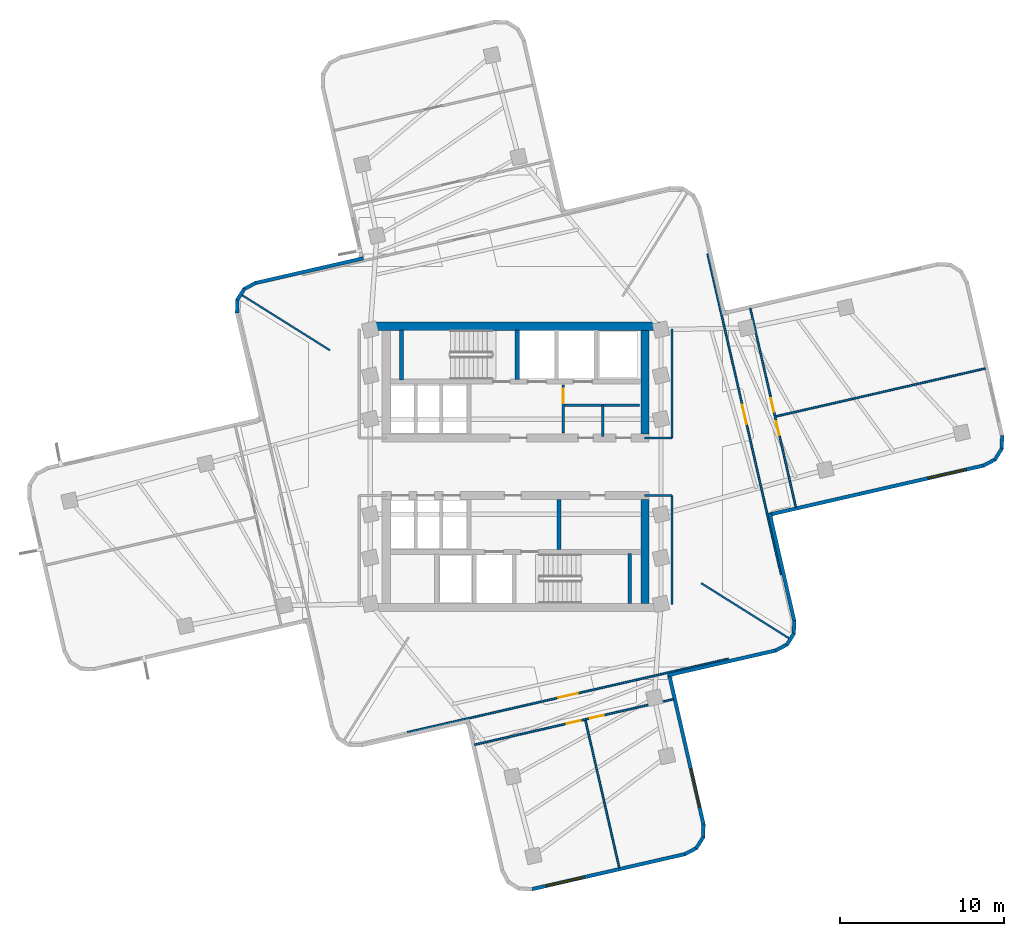
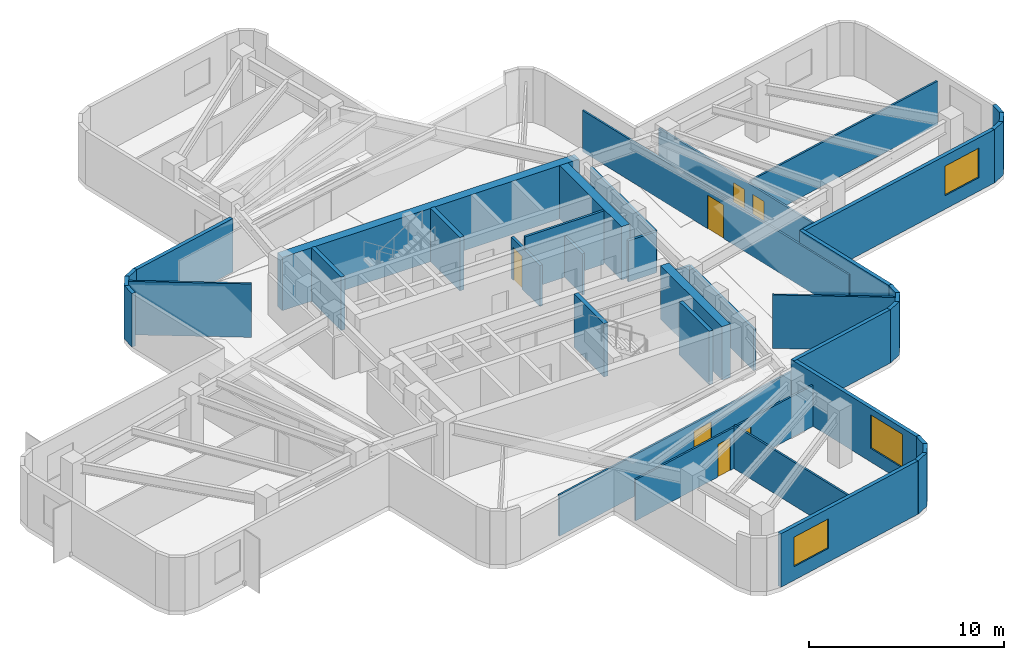
# One storey, part 4 of 7: 40 walls, 7 doors, 3 windows, 10 openings.
"""IFC4 building model written with IfcOpenShell, lengths in metres."""

from ifc_helpers import new_model, si_unit, direction, frame, frame_2d, origin, place, context, subcontext, project, spatial, rectangle, extrude, material, layer, layer_set, type_object, element, fill, save


model = new_model("IFC4")

# Units and contexts
model_context = context("Model", 3, precision=1e-05, world=origin(), true_north=direction((0.0, 1.0)))
body_context = subcontext(model_context, "Body", "Model", "MODEL_VIEW")
ifc_project = project(units=[si_unit("LENGTHUNIT", "METRE"), si_unit("AREAUNIT", "SQUARE_METRE"), si_unit("VOLUMEUNIT", "CUBIC_METRE"), si_unit("PLANEANGLEUNIT", "RADIAN"), si_unit("MASSUNIT", "GRAM", prefix="KILO")], contexts=[model_context])

# Site, building, storey
site_placement = place(None, origin())
site = spatial("IfcSite", under=ifc_project, at=site_placement, CompositionType="ELEMENT")
building_placement = place(site_placement, origin())
building = spatial("IfcBuilding", under=site, at=building_placement, Name="Solmarez Civic Tower", CompositionType="ELEMENT")
storey_placement = place(building_placement, frame((0.0, 0.0, 116.280029296875)))
storey = spatial("IfcBuildingStorey", under=building, at=storey_placement, Name="L30", CompositionType="ELEMENT", Elevation=116.280029296875)

# Walls
ifc_material_1 = material(Name="Concrete C60/75", Category="concrete")
ifc_layer_1 = layer(ifc_material_1, 0.5)
ifc_layer_set_1 = layer_set([ifc_layer_1], Name="Concrete C60/75")
wall_type_1 = type_object("IfcWallType", Name="WALL-CORE-500", PredefinedType="SHEAR", material=ifc_layer_set_1)
wall_1_placement = place(storey_placement, frame((-8.780029296875, 8.56005859375, 0.0), z_axis=(0.0, 0.0, 1.0), x_axis=(1.0, 0.0, 0.0)))
element("IfcWall", 1, at=wall_1_placement, inside=storey, type_object=wall_type_1, Name="L30 Split-Core Structural Wall NCW-N-L30", PredefinedType="SHEAR", context=body_context, shape_type="SweptSolid", body=[
    extrude(rectangle(XDim=17.56005859375, YDim=0.5, at=frame_2d((8.780029296875, 0.0))), origin(), (0.0, 0.0, 1.0), 3.340087890625),
])
for number, where, z_axis, x_axis, name in (
    (2, (7.8701171875, 8.31005859375, 0.0), (0.0, 0.0, 1.0), (0.0, -1.0, 0.0), "L30 Split-Core Structural Wall NCW-E-L30"),
    (3, (7.8701171875, -2.0, 0.0), (0.0, 0.0, 1.0), (0.0, -1.0, 0.0), "L30 Split-Core Structural Wall SCW-E-L30"),
):
    element("IfcWall", number, at=place(storey_placement, frame(where, z_axis=z_axis, x_axis=x_axis)), inside=storey, type_object=wall_type_1, Name=name, PredefinedType="SHEAR", context=body_context, shape_type="SweptSolid", body=[
        extrude(rectangle(XDim=6.31005859375, YDim=0.5, at=frame_2d((3.155029296875, 0.0))), origin(), (0.0, 0.0, 1.0), 3.340087890625),
    ])
ifc_material_2 = material(Name="Precast concrete C40/50", Category="concrete")
ifc_layer_2 = layer(ifc_material_2, 0.219970703125)
ifc_layer_set_2 = layer_set([ifc_layer_2], Name="Precast concrete C40/50")
wall_type_2 = type_object("IfcWallType", Name="WALL-EXT-220", PredefinedType="SOLIDWALL", material=ifc_layer_set_2)
wall_2_placement = place(storey_placement, frame((-16.964111328125, 9.360107421875, 0.0), z_axis=(0.0, 0.0, 1.0), x_axis=(0.035983706773, 0.999352376715, 0.0)))
element("IfcWall", 4, at=wall_2_placement, inside=storey, type_object=wall_type_2, Name="L30 Exterior Precast Wall 14", PredefinedType="SOLIDWALL", context=body_context, shape_type="SweptSolid", body=[
    extrude(rectangle(XDim=0.83447265625, YDim=0.219970703125, at=frame_2d((0.417236328125, 0.0))), origin(), (0.0, 0.0, 1.0), 3.340087890625),
])
wall_3_placement = place(storey_placement, frame((-16.947998046875, 10.14794921875, 0.0), z_axis=(0.0, 0.0, 1.0), x_axis=(0.531096868492, 0.847311109497, 0.0)))
element("IfcWall", 5, at=wall_3_placement, inside=storey, type_object=wall_type_2, Name="L30 Exterior Precast Wall 15", PredefinedType="SOLIDWALL", context=body_context, shape_type="SweptSolid", body=[
    extrude(rectangle(XDim=0.819091796875, YDim=0.219970703125, at=frame_2d((0.40966796875, 0.0))), origin(), (0.0, 0.0, 1.0), 3.340087890625),
])
wall_4_placement = place(storey_placement, frame((-16.548095703125, 10.80908203125, 0.0), z_axis=(0.0, 0.0, 1.0), x_axis=(0.883460266876, 0.468506090516, 0.0)))
element("IfcWall", 6, at=wall_4_placement, inside=storey, type_object=wall_type_2, Name="L30 Exterior Precast Wall 16", PredefinedType="SOLIDWALL", context=body_context, shape_type="SweptSolid", body=[
    extrude(rectangle(XDim=0.834228515625, YDim=0.219970703125, at=frame_2d((0.4169921875, 0.0))), origin(), (0.0, 0.0, 1.0), 3.340087890625),
])
wall_5_placement = place(storey_placement, frame((-15.85693359375, 11.181884765625, 0.0), z_axis=(0.0, 0.0, 1.0), x_axis=(0.974754598481, 0.223278912438, 0.0)))
element("IfcWall", 7, at=wall_5_placement, inside=storey, type_object=wall_type_2, Name="L30 Exterior Precast Wall 17", PredefinedType="SOLIDWALL", context=body_context, shape_type="SweptSolid", body=[
    extrude(rectangle(XDim=6.758544921875, YDim=0.219970703125, at=frame_2d((3.37939453125, 0.0))), origin(), (0.0, 0.0, 1.0), 3.340087890625),
])
wall_6_placement = place(storey_placement, frame((29.6201171875, 1.89892578125, 0.0), z_axis=(0.0, 0.0, 1.0), x_axis=(-0.037195813461, -0.999307996296, 0.0)))
element("IfcWall", 8, at=wall_6_placement, inside=storey, type_object=wall_type_2, Name="L30 Exterior Precast Wall 43", PredefinedType="SOLIDWALL", context=body_context, shape_type="SweptSolid", body=[
    extrude(rectangle(XDim=0.83349609375, YDim=0.219970703125, at=frame_2d((0.416748046875, 0.0))), origin(), (0.0, 0.0, 1.0), 3.340087890625),
])
wall_7_placement = place(storey_placement, frame((29.60302734375, 1.112060546875, 0.0), z_axis=(0.0, 0.0, 1.0), x_axis=(-0.530240177466, -0.847847482865, 0.0)))
element("IfcWall", 9, at=wall_7_placement, inside=storey, type_object=wall_type_2, Name="L30 Exterior Precast Wall 44", PredefinedType="SOLIDWALL", context=body_context, shape_type="SweptSolid", body=[
    extrude(rectangle(XDim=0.818603515625, YDim=0.219970703125, at=frame_2d((0.4091796875, 0.0))), origin(), (0.0, 0.0, 1.0), 3.340087890625),
])
wall_8_placement = place(storey_placement, frame((29.2041015625, 0.450927734375, 0.0), z_axis=(0.0, 0.0, 1.0), x_axis=(-0.883716798585, -0.468022029287, 0.0)))
element("IfcWall", 10, at=wall_8_placement, inside=storey, type_object=wall_type_2, Name="L30 Exterior Precast Wall 45", PredefinedType="SOLIDWALL", context=body_context, shape_type="SweptSolid", body=[
    extrude(rectangle(XDim=0.835205078125, YDim=0.219970703125, at=frame_2d((0.41748046875, 0.0))), origin(), (0.0, 0.0, 1.0), 3.340087890625),
])

# Wall, opening, window
wall_9_placement = place(storey_placement, frame((28.511962890625, 0.077880859375, 0.0), z_axis=(0.0, 0.0, 1.0), x_axis=(-0.974753462872, -0.223283870038, 0.0)))
wall_9 = element("IfcWall", 11, at=wall_9_placement, inside=storey, type_object=wall_type_2, Name="L30 Exterior Precast Wall 46", PredefinedType="SOLIDWALL", context=body_context, shape_type="SweptSolid", body=[
    extrude(rectangle(XDim=13.457763671875, YDim=0.219970703125, at=frame_2d((6.72900390625, 0.0))), origin(), (0.0, 0.0, 1.0), 3.340087890625),
])
opening_1_placement = place(wall_9_placement, frame((1.10009765625, 0.0, 0.85009765625)))
opening_1 = element("IfcOpeningElement", 12, at=opening_1_placement, cuts=wall_9, Name="Opening W-06", PredefinedType="OPENING", context=body_context, shape_type="SweptSolid", body=[
    extrude(rectangle(XDim=2.39990234375, YDim=1.85009765625, at=frame_2d((1.199951171875, 0.925048828125))), frame((0.0, 0.119873046875, 0.0), z_axis=(0.0, -1.0, 0.0), x_axis=(1.0, 0.0, 0.0)), (0.0, 0.0, 1.0), 0.239990234375),
])
ifc_material_3 = material(Name="Solar Control Bronze-Tinted Insulating Glass", Category="glass")
window_type_1 = type_object("IfcWindowType", Name="WIN-2400X1850", PartitioningType="SINGLE_PANEL", PredefinedType="WINDOW", material=ifc_material_3)
window_1_placement = place(opening_1_placement, origin())
window_1 = element("IfcWindow", 13, at=window_1_placement, inside=storey, type_object=window_type_1, Name="L30 Exterior Facade Window 46", OverallHeight=1.85009765625, OverallWidth=2.39990234375, PartitioningType="SINGLE_PANEL", PredefinedType="WINDOW", context=body_context, shape_type="SweptSolid", body=[
    extrude(rectangle(XDim=2.39990234375, YDim=1.85009765625, at=frame_2d((1.199951171875, 0.925048828125))), frame((0.0, 0.030029296875, 0.0), z_axis=(0.0, -1.0, 0.0), x_axis=(1.0, 0.0, 0.0)), (0.0, 0.0, 1.0), 0.06005859375),
])
fill(opening_1, window_1)

# Walls
wall_10_placement = place(storey_placement, frame((15.4599609375, -2.821044921875, 0.0), z_axis=(0.0, 0.0, 1.0), x_axis=(0.223278912438, -0.974754598481, 0.0)))
element("IfcWall", 14, at=wall_10_placement, inside=storey, type_object=wall_type_2, Name="L30 Exterior Precast Wall 49", PredefinedType="SOLIDWALL", context=body_context, shape_type="SweptSolid", body=[
    extrude(rectangle(XDim=6.758544921875, YDim=0.219970703125, at=frame_2d((3.37939453125, 0.0))), origin(), (0.0, 0.0, 1.0), 3.340087890625),
])
wall_11_placement = place(storey_placement, frame((16.964111328125, -9.360107421875, 0.0), z_axis=(0.0, 0.0, 1.0), x_axis=(-0.035983706773, -0.999352376715, 0.0)))
element("IfcWall", 15, at=wall_11_placement, inside=storey, type_object=wall_type_2, Name="L30 Exterior Precast Wall 50", PredefinedType="SOLIDWALL", context=body_context, shape_type="SweptSolid", body=[
    extrude(rectangle(XDim=0.83447265625, YDim=0.219970703125, at=frame_2d((0.417236328125, 0.0))), origin(), (0.0, 0.0, 1.0), 3.340087890625),
])
wall_12_placement = place(storey_placement, frame((16.947998046875, -10.14794921875, 0.0), z_axis=(0.0, 0.0, 1.0), x_axis=(-0.531096868492, -0.847311109497, 0.0)))
element("IfcWall", 16, at=wall_12_placement, inside=storey, type_object=wall_type_2, Name="L30 Exterior Precast Wall 51", PredefinedType="SOLIDWALL", context=body_context, shape_type="SweptSolid", body=[
    extrude(rectangle(XDim=0.819091796875, YDim=0.219970703125, at=frame_2d((0.40966796875, 0.0))), origin(), (0.0, 0.0, 1.0), 3.340087890625),
])
wall_13_placement = place(storey_placement, frame((16.548095703125, -10.80908203125, 0.0), z_axis=(0.0, 0.0, 1.0), x_axis=(-0.883460266876, -0.468506090516, 0.0)))
element("IfcWall", 17, at=wall_13_placement, inside=storey, type_object=wall_type_2, Name="L30 Exterior Precast Wall 52", PredefinedType="SOLIDWALL", context=body_context, shape_type="SweptSolid", body=[
    extrude(rectangle(XDim=0.834228515625, YDim=0.219970703125, at=frame_2d((0.4169921875, 0.0))), origin(), (0.0, 0.0, 1.0), 3.340087890625),
])
wall_14_placement = place(storey_placement, frame((15.85693359375, -11.181884765625, 0.0), z_axis=(0.0, 0.0, 1.0), x_axis=(-0.974754598481, -0.223278912438, 0.0)))
element("IfcWall", 18, at=wall_14_placement, inside=storey, type_object=wall_type_2, Name="L30 Exterior Precast Wall 53", PredefinedType="SOLIDWALL", context=body_context, shape_type="SweptSolid", body=[
    extrude(rectangle(XDim=6.758544921875, YDim=0.219970703125, at=frame_2d((3.37939453125, 0.0))), origin(), (0.0, 0.0, 1.0), 3.340087890625),
])

# Wall, opening, window
wall_15_placement = place(storey_placement, frame((9.3349609375, -12.5849609375, 0.0), z_axis=(0.0, 0.0, 1.0), x_axis=(0.223290835532, -0.974751867281, 0.0)))
wall_15 = element("IfcWall", 19, at=wall_15_placement, inside=storey, type_object=wall_type_2, Name="L30 Exterior Precast Wall 56", PredefinedType="SOLIDWALL", context=body_context, shape_type="SweptSolid", body=[
    extrude(rectangle(XDim=9.458740234375, YDim=0.219970703125, at=frame_2d((4.7294921875, 0.0))), origin(), (0.0, 0.0, 1.0), 3.340087890625),
])
opening_2_placement = place(wall_15_placement, frame((5.958984375, 0.0, 0.85009765625)))
opening_2 = element("IfcOpeningElement", 20, at=opening_2_placement, cuts=wall_15, Name="Opening W-02", PredefinedType="OPENING", context=body_context, shape_type="SweptSolid", body=[
    extrude(rectangle(XDim=2.39990234375, YDim=2.10009765625, at=frame_2d((1.199951171875, 1.050048828125))), frame((0.0, 0.119873046875, 0.0), z_axis=(0.0, -1.0, 0.0), x_axis=(1.0, 0.0, 0.0)), (0.0, 0.0, 1.0), 0.239990234375),
])
window_type_2 = type_object("IfcWindowType", Name="WIN-2400X2100", PartitioningType="SINGLE_PANEL", PredefinedType="WINDOW", material=ifc_material_3)
window_2_placement = place(opening_2_placement, origin())
window_2 = element("IfcWindow", 21, at=window_2_placement, inside=storey, type_object=window_type_2, Name="L30 Exterior Facade Window 56", OverallHeight=2.10009765625, OverallWidth=2.39990234375, PartitioningType="SINGLE_PANEL", PredefinedType="WINDOW", context=body_context, shape_type="SweptSolid", body=[
    extrude(rectangle(XDim=2.39990234375, YDim=2.10009765625, at=frame_2d((1.199951171875, 1.050048828125))), frame((0.0, 0.030029296875, 0.0), z_axis=(0.0, -1.0, 0.0), x_axis=(1.0, 0.0, 0.0)), (0.0, 0.0, 1.0), 0.06005859375),
])
fill(opening_2, window_2)

# Walls
wall_16_placement = place(storey_placement, frame((11.44189453125, -21.756103515625, 0.0), z_axis=(0.0, 0.0, 1.0), x_axis=(-0.035691530512, -0.999362854348, 0.0)))
element("IfcWall", 22, at=wall_16_placement, inside=storey, type_object=wall_type_2, Name="L30 Exterior Precast Wall 57", PredefinedType="SOLIDWALL", context=body_context, shape_type="SweptSolid", body=[
    extrude(rectangle(XDim=0.83447265625, YDim=0.219970703125, at=frame_2d((0.417236328125, 0.0))), origin(), (0.0, 0.0, 1.0), 3.340087890625),
])
wall_17_placement = place(storey_placement, frame((11.426025390625, -22.5439453125, 0.0), z_axis=(0.0, 0.0, 1.0), x_axis=(-0.53163377074, -0.846974340702, 0.0)))
element("IfcWall", 23, at=wall_17_placement, inside=storey, type_object=wall_type_2, Name="L30 Exterior Precast Wall 58", PredefinedType="SOLIDWALL", context=body_context, shape_type="SweptSolid", body=[
    extrude(rectangle(XDim=0.818359375, YDim=0.219970703125, at=frame_2d((0.4091796875, 0.0))), origin(), (0.0, 0.0, 1.0), 3.340087890625),
])
wall_18_placement = place(storey_placement, frame((11.02587890625, -23.2041015625, 0.0), z_axis=(0.0, 0.0, 1.0), x_axis=(-0.883396009524, -0.468627240307, 0.0)))
element("IfcWall", 24, at=wall_18_placement, inside=storey, type_object=wall_type_2, Name="L30 Exterior Precast Wall 59", PredefinedType="SOLIDWALL", context=body_context, shape_type="SweptSolid", body=[
    extrude(rectangle(XDim=0.833984375, YDim=0.219970703125, at=frame_2d((0.4169921875, 0.0))), origin(), (0.0, 0.0, 1.0), 3.340087890625),
])

# Wall, opening, window
wall_19_placement = place(storey_placement, frame((10.3349609375, -23.576904296875, 0.0), z_axis=(0.0, 0.0, 1.0), x_axis=(-0.974730937235, -0.223382183705, 0.0)))
wall_19 = element("IfcWall", 25, at=wall_19_placement, inside=storey, type_object=wall_type_2, Name="L30 Exterior Precast Wall 60", PredefinedType="SOLIDWALL", context=body_context, shape_type="SweptSolid", body=[
    extrude(rectangle(XDim=9.62109375, YDim=0.219970703125, at=frame_2d((4.810546875, 0.0))), origin(), (0.0, 0.0, 1.0), 3.340087890625),
])
opening_3_placement = place(wall_19_placement, frame((6.303955078125, 0.0, 0.85009765625)))
opening_3 = element("IfcOpeningElement", 26, at=opening_3_placement, cuts=wall_19, Name="Opening W-06", PredefinedType="OPENING", context=body_context, shape_type="SweptSolid", body=[
    extrude(rectangle(XDim=2.39990234375, YDim=1.85009765625, at=frame_2d((1.199951171875, 0.925048828125))), frame((0.0, 0.119873046875, 0.0), z_axis=(0.0, -1.0, 0.0), x_axis=(1.0, 0.0, 0.0)), (0.0, 0.0, 1.0), 0.239990234375),
])
window_3_placement = place(opening_3_placement, origin())
window_3 = element("IfcWindow", 27, at=window_3_placement, inside=storey, type_object=window_type_1, Name="L30 Exterior Facade Window 60", OverallHeight=1.85009765625, OverallWidth=2.39990234375, PartitioningType="SINGLE_PANEL", PredefinedType="WINDOW", context=body_context, shape_type="SweptSolid", body=[
    extrude(rectangle(XDim=2.39990234375, YDim=1.85009765625, at=frame_2d((1.199951171875, 0.925048828125))), frame((0.0, 0.030029296875, 0.0), z_axis=(0.0, -1.0, 0.0), x_axis=(1.0, 0.0, 0.0)), (0.0, 0.0, 1.0), 0.06005859375),
])
fill(opening_3, window_3)

# Walls
ifc_material_4 = material(Name="Gypsum Board Acoustic Steel-Stud Partition", Category="steel")
ifc_layer_3 = layer(ifc_material_4, 0.14990234375)
ifc_layer_set_3 = layer_set([ifc_layer_3], Name="Gypsum Board Acoustic Steel-Stud Partition")
wall_type_3 = type_object("IfcWallType", Name="WALL-INT-FIRE-150", PredefinedType="PARTITIONING", material=ifc_layer_set_3)
wall_20_placement = place(storey_placement, frame((9.52001953125, 1.75, 0.0), z_axis=(0.0, 0.0, 1.0), x_axis=(0.0, 1.0, 0.0)))
element("IfcWall", 28, at=wall_20_placement, inside=storey, type_object=wall_type_3, Name="L30 Interior Partition CHW-L30-EN1", PredefinedType="PARTITIONING", context=body_context, shape_type="SweptSolid", body=[
    extrude(rectangle(XDim=6.6298828125, YDim=0.14990234375, at=frame_2d((3.31494140625, 0.0))), origin(), (0.0, 0.0, 1.0), 2.570068359375),
])
wall_21_placement = place(storey_placement, frame((7.85009765625, 1.75, 0.0), z_axis=(0.0, 0.0, 1.0), x_axis=(1.0, 0.0, 0.0)))
element("IfcWall", 29, at=wall_21_placement, inside=storey, type_object=wall_type_3, Name="L30 Interior Partition CHW-L30-EN3", PredefinedType="PARTITIONING", context=body_context, shape_type="SweptSolid", body=[
    extrude(rectangle(XDim=1.669921875, YDim=0.14990234375, at=frame_2d((0.8349609375, 0.0))), origin(), (0.0, 0.0, 1.0), 2.570068359375),
])
wall_22_placement = place(storey_placement, frame((9.52001953125, -8.3798828125, 0.0), z_axis=(0.0, 0.0, 1.0), x_axis=(0.0, 1.0, 0.0)))
element("IfcWall", 30, at=wall_22_placement, inside=storey, type_object=wall_type_3, Name="L30 Interior Partition CHW-L30-ES1", PredefinedType="PARTITIONING", context=body_context, shape_type="SweptSolid", body=[
    extrude(rectangle(XDim=6.6298828125, YDim=0.14990234375, at=frame_2d((3.31494140625, 0.0))), origin(), (0.0, 0.0, 1.0), 2.570068359375),
])
wall_23_placement = place(storey_placement, frame((7.85009765625, -1.75, 0.0), z_axis=(0.0, 0.0, 1.0), x_axis=(1.0, 0.0, 0.0)))
element("IfcWall", 31, at=wall_23_placement, inside=storey, type_object=wall_type_3, Name="L30 Interior Partition CHW-L30-ES3", PredefinedType="PARTITIONING", context=body_context, shape_type="SweptSolid", body=[
    extrude(rectangle(XDim=1.669921875, YDim=0.14990234375, at=frame_2d((0.8349609375, 0.0))), origin(), (0.0, 0.0, 1.0), 2.570068359375),
])
ifc_layer_4 = layer(ifc_material_4, 0.110107421875)
ifc_layer_set_4 = layer_set([ifc_layer_4], Name="Gypsum Board Acoustic Steel-Stud Partition")
wall_type_4 = type_object("IfcWallType", Name="WALL-INT-PART-110", PredefinedType="PARTITIONING", material=ifc_layer_set_4)
for number, where, z_axis, x_axis, name in (
    (32, (-11.300048828125, 7.089111328125, 0.0), (0.0, 0.0, 1.0), (-0.847172398776, 0.531318103167, 0.0), "L30 Interior Partition PT-L30-QDIV-2"),
    (33, (11.300048828125, -7.089111328125, 0.0), (0.0, 0.0, 1.0), (0.847172398776, -0.531318103167, 0.0), "L30 Interior Partition PT-L30-QDIV-4"),
):
    element("IfcWall", number, at=place(storey_placement, frame(where, z_axis=z_axis, x_axis=x_axis)), inside=storey, type_object=wall_type_4, Name=name, PredefinedType="PARTITIONING", context=body_context, shape_type="SweptSolid", body=[
        extrude(rectangle(XDim=6.335205078125, YDim=0.110107421875, at=frame_2d((3.16748046875, 0.0))), origin(), (0.0, 0.0, 1.0), 3.340087890625),
    ])

# Wall, opening, door
wall_24_placement = place(storey_placement, frame((11.69189453125, 12.95703125, 0.0), z_axis=(0.0, 0.0, 1.0), x_axis=(0.223262093598, -0.97475845088, 0.0)))
wall_24 = element("IfcWall", 34, at=wall_24_placement, inside=storey, type_object=wall_type_4, Name="L30 Interior Partition PT-L30-E-ENT", PredefinedType="PARTITIONING", context=body_context, shape_type="SweptSolid", body=[
    extrude(rectangle(XDim=20.039794921875, YDim=0.110107421875, at=frame_2d((10.02001953125, 0.0))), origin(), (0.0, 0.0, 1.0), 2.570068359375),
])
opening_4_placement = place(wall_24_placement, frame((9.419921875, 0.0, 0.0)))
opening_4 = element("IfcOpeningElement", 35, at=opening_4_placement, cuts=wall_24, Name="Opening D-11", PredefinedType="OPENING", context=body_context, shape_type="SweptSolid", body=[
    extrude(rectangle(XDim=1.199951171875, YDim=2.10009765625, at=frame_2d((0.60009765625, 1.050048828125))), frame((0.0, 0.06494140625, 0.0), z_axis=(0.0, -1.0, 0.0), x_axis=(1.0, 0.0, 0.0)), (0.0, 0.0, 1.0), 0.130126953125),
])
ifc_material_5 = material(Name="Glazed-Vision Acoustic Chamber Door", Category="wood")
door_type_1 = type_object("IfcDoorType", Name="DOOR-INT-1200", OperationType="NOTDEFINED", PredefinedType="DOOR", material=ifc_material_5)
door_1_placement = place(opening_4_placement, origin())
door_1 = element("IfcDoor", 36, at=door_1_placement, inside=storey, type_object=door_type_1, Name="L30 Maritime Registry Municipal Co-Working Office First East Door", OperationType="SINGLE_SWING_LEFT", OverallHeight=2.10009765625, OverallWidth=1.199951171875, PredefinedType="DOOR", context=body_context, shape_type="SweptSolid", body=[
    extrude(rectangle(XDim=1.199951171875, YDim=2.10009765625, at=frame_2d((0.60009765625, 1.050048828125))), frame((0.0, 0.02490234375, 0.0), z_axis=(0.0, -1.0, 0.0), x_axis=(1.0, 0.0, 0.0)), (0.0, 0.0, 1.0), 0.050048828125),
])
fill(opening_4, door_1)

# Wall
wall_25_placement = place(storey_placement, frame((15.85498046875, 3.06689453125, 0.0), z_axis=(0.0, 0.0, 1.0), x_axis=(0.974758398925, 0.223262320434, 0.0)))
element("IfcWall", 37, at=wall_25_placement, inside=storey, type_object=wall_type_4, Name="L30 Interior Partition PT-L30-E-TSP", PredefinedType="PARTITIONING", context=body_context, shape_type="SweptSolid", body=[
    extrude(rectangle(XDim=13.0751953125, YDim=0.110107421875, at=frame_2d((6.53759765625, 0.0))), origin(), (0.0, 0.0, 1.0), 2.719970703125),
])

# Wall, openings, doors
wall_26_placement = place(storey_placement, frame((17.06201171875, -2.468017578125, 0.0), z_axis=(0.0, 0.0, 1.0), x_axis=(-0.223341555051, 0.974740247341, 0.0)))
wall_26 = element("IfcWall", 38, at=wall_26_placement, inside=storey, type_object=wall_type_4, Name="L30 Interior Partition PT-L30-E-SCUT", PredefinedType="PARTITIONING", context=body_context, shape_type="SweptSolid", body=[
    extrude(rectangle(XDim=12.429931640625, YDim=0.110107421875, at=frame_2d((6.21484375, 0.0))), origin(), (0.0, 0.0, 1.0), 2.570068359375),
])
opening_5_placement = place(wall_26_placement, frame((4.514892578125, 0.0, 0.0)))
opening_5 = element("IfcOpeningElement", 39, at=opening_5_placement, cuts=wall_26, Name="Opening D-14", PredefinedType="OPENING", context=body_context, shape_type="SweptSolid", body=[
    extrude(rectangle(XDim=0.860107421875, YDim=2.0400390625, at=frame_2d((0.43017578125, 1.02001953125))), frame((0.0, 0.06494140625, 0.0), z_axis=(0.0, -1.0, 0.0), x_axis=(1.0, 0.0, 0.0)), (0.0, 0.0, 1.0), 0.130126953125),
])
opening_6_placement = place(wall_26_placement, frame((5.955078125, 0.0, 0.0)))
opening_6 = element("IfcOpeningElement", 40, at=opening_6_placement, cuts=wall_26, Name="Opening D-14", PredefinedType="OPENING", context=body_context, shape_type="SweptSolid", body=[
    extrude(rectangle(XDim=0.860107421875, YDim=2.0400390625, at=frame_2d((0.43017578125, 1.02001953125))), frame((0.0, 0.06494140625, 0.0), z_axis=(0.0, -1.0, 0.0), x_axis=(1.0, 0.0, 0.0)), (0.0, 0.0, 1.0), 0.130126953125),
])
ifc_material_6 = material(Name="Timber Storage and Pantry Door", Category="wood")
door_type_2 = type_object("IfcDoorType", Name="DOOR-INT-850", OperationType="NOTDEFINED", PredefinedType="DOOR", material=ifc_material_6)
door_2_placement = place(opening_5_placement, origin())
door_2 = element("IfcDoor", 41, at=door_2_placement, inside=storey, type_object=door_type_2, Name="L30 Public Law Reading Room Third East Door", OperationType="SINGLE_SWING_RIGHT", OverallHeight=2.0400390625, OverallWidth=0.860107421875, PredefinedType="DOOR", context=body_context, shape_type="SweptSolid", body=[
    extrude(rectangle(XDim=0.860107421875, YDim=2.0400390625, at=frame_2d((0.43017578125, 1.02001953125))), frame((0.0, 0.02490234375, 0.0), z_axis=(0.0, -1.0, 0.0), x_axis=(1.0, 0.0, 0.0)), (0.0, 0.0, 1.0), 0.050048828125),
])
fill(opening_5, door_2)
door_3_placement = place(opening_6_placement, origin())
door_3 = element("IfcDoor", 42, at=door_3_placement, inside=storey, type_object=door_type_2, Name="L30 Civic Seminar Classroom Second East Door", OperationType="SINGLE_SWING_LEFT", OverallHeight=2.0400390625, OverallWidth=0.860107421875, PredefinedType="DOOR", context=body_context, shape_type="SweptSolid", body=[
    extrude(rectangle(XDim=0.860107421875, YDim=2.0400390625, at=frame_2d((0.43017578125, 1.02001953125))), frame((0.0, 0.02490234375, 0.0), z_axis=(0.0, -1.0, 0.0), x_axis=(1.0, 0.0, 0.0)), (0.0, 0.0, 1.0), 0.050048828125),
])
fill(opening_6, door_3)

# Wall, opening, door
wall_27_placement = place(storey_placement, frame((12.95703125, -11.69189453125, 0.0), z_axis=(0.0, 0.0, 1.0), x_axis=(-0.97475845088, -0.223262093598, 0.0)))
wall_27 = element("IfcWall", 43, at=wall_27_placement, inside=storey, type_object=wall_type_4, Name="L30 Interior Partition PT-L30-S-ENT", PredefinedType="PARTITIONING", context=body_context, shape_type="SweptSolid", body=[
    extrude(rectangle(XDim=20.039794921875, YDim=0.110107421875, at=frame_2d((10.02001953125, 0.0))), origin(), (0.0, 0.0, 1.0), 2.570068359375),
])
opening_7_placement = place(wall_27_placement, frame((9.419921875, 0.0, 0.0)))
opening_7 = element("IfcOpeningElement", 44, at=opening_7_placement, cuts=wall_27, Name="Opening D-11", PredefinedType="OPENING", context=body_context, shape_type="SweptSolid", body=[
    extrude(rectangle(XDim=1.199951171875, YDim=2.10009765625, at=frame_2d((0.60009765625, 1.050048828125))), frame((0.0, 0.06494140625, 0.0), z_axis=(0.0, -1.0, 0.0), x_axis=(1.0, 0.0, 0.0)), (0.0, 0.0, 1.0), 0.130126953125),
])
door_4_placement = place(opening_7_placement, origin())
door_4 = element("IfcDoor", 45, at=door_4_placement, inside=storey, type_object=door_type_1, Name="L30 Security Control Room First South Door", OperationType="SINGLE_SWING_LEFT", OverallHeight=2.10009765625, OverallWidth=1.199951171875, PredefinedType="DOOR", context=body_context, shape_type="SweptSolid", body=[
    extrude(rectangle(XDim=1.199951171875, YDim=2.10009765625, at=frame_2d((0.60009765625, 1.050048828125))), frame((0.0, 0.02490234375, 0.0), z_axis=(0.0, -1.0, 0.0), x_axis=(1.0, 0.0, 0.0)), (0.0, 0.0, 1.0), 0.050048828125),
])
fill(opening_7, door_4)

# Wall
wall_28_placement = place(storey_placement, frame((4.25390625, -15.43994140625, 0.0), z_axis=(0.0, 0.0, 1.0), x_axis=(0.223344166789, -0.974739648912, 0.0)))
element("IfcWall", 46, at=wall_28_placement, inside=storey, type_object=wall_type_4, Name="L30 Interior Partition PT-L30-S-TM3", PredefinedType="PARTITIONING", context=body_context, shape_type="SweptSolid", body=[
    extrude(rectangle(XDim=9.21484375, YDim=0.110107421875, at=frame_2d((4.607421875, 0.0))), origin(), (0.0, 0.0, 1.0), 2.719970703125),
])

# Wall, openings, doors
wall_29_placement = place(storey_placement, frame((-2.4990234375, -16.926025390625, 0.0), z_axis=(0.0, 0.0, 1.0), x_axis=(0.974740247341, 0.223341555051, 0.0)))
wall_29 = element("IfcWall", 47, at=wall_29_placement, inside=storey, type_object=wall_type_4, Name="L30 Interior Partition PT-L30-S-SCUT", PredefinedType="PARTITIONING", context=body_context, shape_type="SweptSolid", body=[
    extrude(rectangle(XDim=12.429931640625, YDim=0.110107421875, at=frame_2d((6.21484375, 0.0))), origin(), (0.0, 0.0, 1.0), 2.570068359375),
])
opening_8_placement = place(wall_29_placement, frame((5.764892578125, 0.0, 0.0)))
opening_8 = element("IfcOpeningElement", 48, at=opening_8_placement, cuts=wall_29, Name="Opening D-14", PredefinedType="OPENING", context=body_context, shape_type="SweptSolid", body=[
    extrude(rectangle(XDim=0.860107421875, YDim=2.0400390625, at=frame_2d((0.43017578125, 1.02001953125))), frame((0.0, 0.06494140625, 0.0), z_axis=(0.0, -1.0, 0.0), x_axis=(1.0, 0.0, 0.0)), (0.0, 0.0, 1.0), 0.130126953125),
])
opening_9_placement = place(wall_29_placement, frame((7.205078125, 0.0, 0.0)))
opening_9 = element("IfcOpeningElement", 49, at=opening_9_placement, cuts=wall_29, Name="Opening D-14", PredefinedType="OPENING", context=body_context, shape_type="SweptSolid", body=[
    extrude(rectangle(XDim=0.860107421875, YDim=2.0400390625, at=frame_2d((0.43017578125, 1.02001953125))), frame((0.0, 0.06494140625, 0.0), z_axis=(0.0, -1.0, 0.0), x_axis=(1.0, 0.0, 0.0)), (0.0, 0.0, 1.0), 0.130126953125),
])
door_5_placement = place(opening_8_placement, origin())
door_5 = element("IfcDoor", 50, at=door_5_placement, inside=storey, type_object=door_type_2, Name="L30 Public Law Reading Room Third South Door", OperationType="SINGLE_SWING_RIGHT", OverallHeight=2.0400390625, OverallWidth=0.860107421875, PredefinedType="DOOR", context=body_context, shape_type="SweptSolid", body=[
    extrude(rectangle(XDim=0.860107421875, YDim=2.0400390625, at=frame_2d((0.43017578125, 1.02001953125))), frame((0.0, 0.02490234375, 0.0), z_axis=(0.0, -1.0, 0.0), x_axis=(1.0, 0.0, 0.0)), (0.0, 0.0, 1.0), 0.050048828125),
])
fill(opening_8, door_5)
door_6_placement = place(opening_9_placement, origin())
door_6 = element("IfcDoor", 51, at=door_6_placement, inside=storey, type_object=door_type_2, Name="L30 Civic Seminar Classroom Second South Door", OperationType="SINGLE_SWING_LEFT", OverallHeight=2.0400390625, OverallWidth=0.860107421875, PredefinedType="DOOR", context=body_context, shape_type="SweptSolid", body=[
    extrude(rectangle(XDim=0.860107421875, YDim=2.0400390625, at=frame_2d((0.43017578125, 1.02001953125))), frame((0.0, 0.02490234375, 0.0), z_axis=(0.0, -1.0, 0.0), x_axis=(1.0, 0.0, 0.0)), (0.0, 0.0, 1.0), 0.050048828125),
])
fill(opening_9, door_6)

# Wall, opening, door
ifc_layer_5 = layer(ifc_material_4, 0.159912109375)
ifc_layer_set_5 = layer_set([ifc_layer_5], Name="Gypsum Board Acoustic Steel-Stud Partition")
wall_type_5 = type_object("IfcWallType", Name="WALL-INT-SHAFT-160", PredefinedType="PARTITIONING", material=ifc_layer_set_5)
wall_30_placement = place(storey_placement, frame((2.89990234375, 2.0400390625, 0.0), z_axis=(0.0, 0.0, 1.0), x_axis=(0.0, 1.0, 0.0)))
wall_30 = element("IfcWall", 52, at=wall_30_placement, inside=storey, type_object=wall_type_5, Name="L30 Interior Partition SHW-NL2-L30", PredefinedType="PARTITIONING", context=body_context, shape_type="SweptSolid", body=[
    extrude(rectangle(XDim=2.93994140625, YDim=0.159912109375, at=frame_2d((1.469970703125, 0.0))), origin(), (0.0, 0.0, 1.0), 2.570068359375),
])
opening_10_placement = place(wall_30_placement, frame((1.820068359375, 0.0, 0.0)))
opening_10 = element("IfcOpeningElement", 53, at=opening_10_placement, cuts=wall_30, Name="Opening D-09", PredefinedType="OPENING", context=body_context, shape_type="SweptSolid", body=[
    extrude(rectangle(XDim=0.89990234375, YDim=2.06005859375, at=frame_2d((0.449951171875, 1.030029296875))), frame((0.0, 0.08984375, 0.0), z_axis=(0.0, -1.0, 0.0), x_axis=(1.0, 0.0, 0.0)), (0.0, 0.0, 1.0), 0.179931640625),
])
ifc_material_7 = material(Name="Fire-Rated Service Core Door", Category="wood")
door_type_3 = type_object("IfcDoorType", Name="DOOR-FD60-900", OperationType="NOTDEFINED", PredefinedType="DOOR", material=ifc_material_7)
door_7_placement = place(opening_10_placement, origin())
door_7 = element("IfcDoor", 54, at=door_7_placement, inside=storey, type_object=door_type_3, Name="L30 Service Lift Lobby Door", OperationType="SINGLE_SWING_LEFT", OverallHeight=2.06005859375, OverallWidth=0.89990234375, PredefinedType="DOOR", context=body_context, shape_type="SweptSolid", body=[
    extrude(rectangle(XDim=0.89990234375, YDim=2.06005859375, at=frame_2d((0.449951171875, 1.030029296875))), frame((0.0, 0.02490234375, 0.0), z_axis=(0.0, -1.0, 0.0), x_axis=(1.0, 0.0, 0.0)), (0.0, 0.0, 1.0), 0.050048828125),
])
fill(opening_10, door_7)

# Walls
ifc_layer_6 = layer(ifc_material_4, 0.137939453125)
ifc_layer_set_6 = layer_set([ifc_layer_6], Name="Gypsum Board Acoustic Steel-Stud Partition")
wall_type_6 = type_object("IfcWallType", Name="WALL-INT-WET-140", PredefinedType="PARTITIONING", material=ifc_layer_set_6)
wall_31_placement = place(storey_placement, frame((2.89990234375, 3.739990234375, 0.0), z_axis=(0.0, 0.0, 1.0), x_axis=(1.0, 0.0, 0.0)))
element("IfcWall", 55, at=wall_31_placement, inside=storey, type_object=wall_type_6, Name="L30 Interior Partition SHW-SVH-L30", PredefinedType="PARTITIONING", context=body_context, shape_type="SweptSolid", body=[
    extrude(rectangle(XDim=4.650146484375, YDim=0.137939453125, at=frame_2d((2.3251953125, 0.0))), origin(), (0.0, 0.0, 1.0), 3.340087890625),
])
wall_32_placement = place(storey_placement, frame((5.300048828125, 1.85009765625, 0.0), z_axis=(0.0, 0.0, 1.0), x_axis=(0.0, 1.0, 0.0)))
element("IfcWall", 56, at=wall_32_placement, inside=storey, type_object=wall_type_6, Name="L30 Interior Partition PT-NCSV-L30", PredefinedType="PARTITIONING", context=body_context, shape_type="SweptSolid", body=[
    extrude(rectangle(XDim=1.889892578125, YDim=0.137939453125, at=frame_2d((0.94482421875, 0.0))), origin(), (0.0, 0.0, 1.0), 2.570068359375),
])
ifc_material_8 = material(Name="Concrete C50/60", Category="concrete")
ifc_layer_7 = layer(ifc_material_8, 0.300048828125)
ifc_layer_set_7 = layer_set([ifc_layer_7], Name="Concrete C50/60")
wall_type_7 = type_object("IfcWallType", Name="WALL-STR-300", PredefinedType="SOLIDWALL", material=ifc_layer_set_7)
for number, where, z_axis, x_axis, name in (
    (57, (-6.949951171875, 5.280029296875, 0.0), (0.0, 0.0, 1.0), (0.0, 1.0, 0.0), "L30 Split-Core Structural Wall SHW-NW-L30"),
    (58, (6.949951171875, -8.340087890625, 0.0), (0.0, 0.0, 1.0), (0.0, 1.0, 0.0), "L30 Split-Core Structural Wall SHW-SE-L30"),
):
    element("IfcWall", number, at=place(storey_placement, frame(where, z_axis=z_axis, x_axis=x_axis)), inside=storey, type_object=wall_type_7, Name=name, PredefinedType="SOLIDWALL", context=body_context, shape_type="SweptSolid", body=[
        extrude(rectangle(XDim=3.06005859375, YDim=0.219970703125, at=frame_2d((1.530029296875, 0.0))), origin(), (0.0, 0.0, 1.0), 3.340087890625),
    ])
wall_33_placement = place(storey_placement, frame((0.10009765625, 5.300048828125, 0.0), z_axis=(0.0, 0.0, 1.0), x_axis=(0.0, 1.0, 0.0)))
element("IfcWall", 59, at=wall_33_placement, inside=storey, type_object=wall_type_7, Name="L30 Split-Core Structural Wall SHW-N1-L30", PredefinedType="SOLIDWALL", context=body_context, shape_type="SweptSolid", body=[
    extrude(rectangle(XDim=3.0400390625, YDim=0.25, at=frame_2d((1.52001953125, 0.0))), origin(), (0.0, 0.0, 1.0), 3.340087890625),
])
wall_34_placement = place(storey_placement, frame((2.64990234375, -5.050048828125, 0.0), z_axis=(0.0, 0.0, 1.0), x_axis=(0.0, 1.0, 0.0)))
element("IfcWall", 60, at=wall_34_placement, inside=storey, type_object=wall_type_7, Name="L30 Split-Core Structural Wall SHW-SL2-L30", PredefinedType="SOLIDWALL", context=body_context, shape_type="SweptSolid", body=[
    extrude(rectangle(XDim=3.070068359375, YDim=0.25, at=frame_2d((1.53515625, 0.0))), origin(), (0.0, 0.0, 1.0), 3.340087890625),
])

save(model, "model.ifc")
